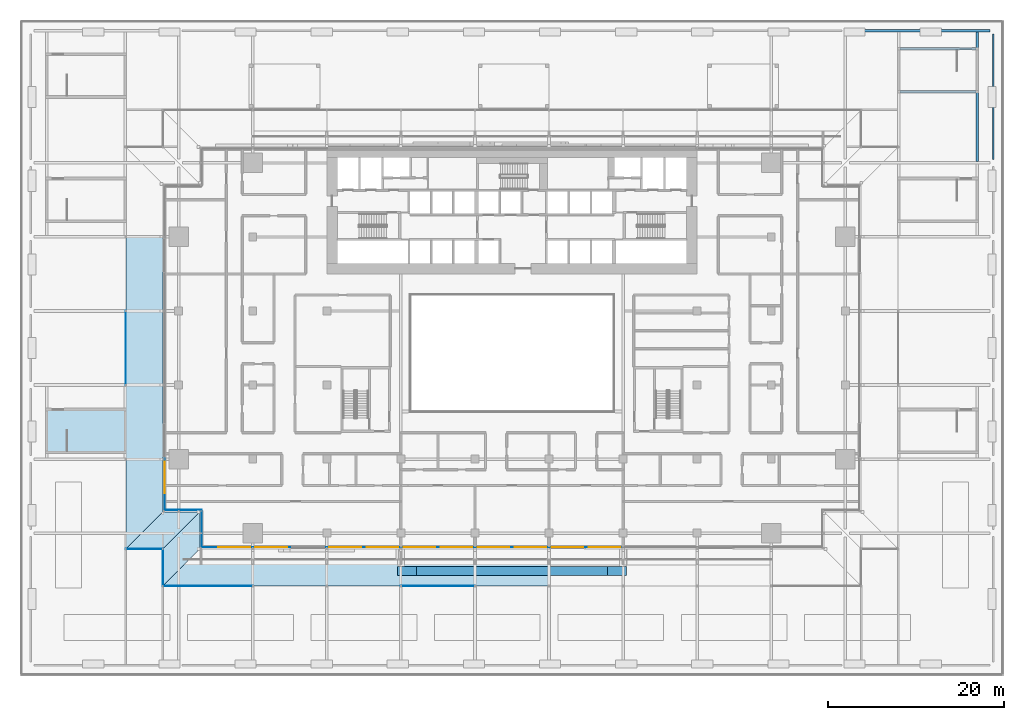
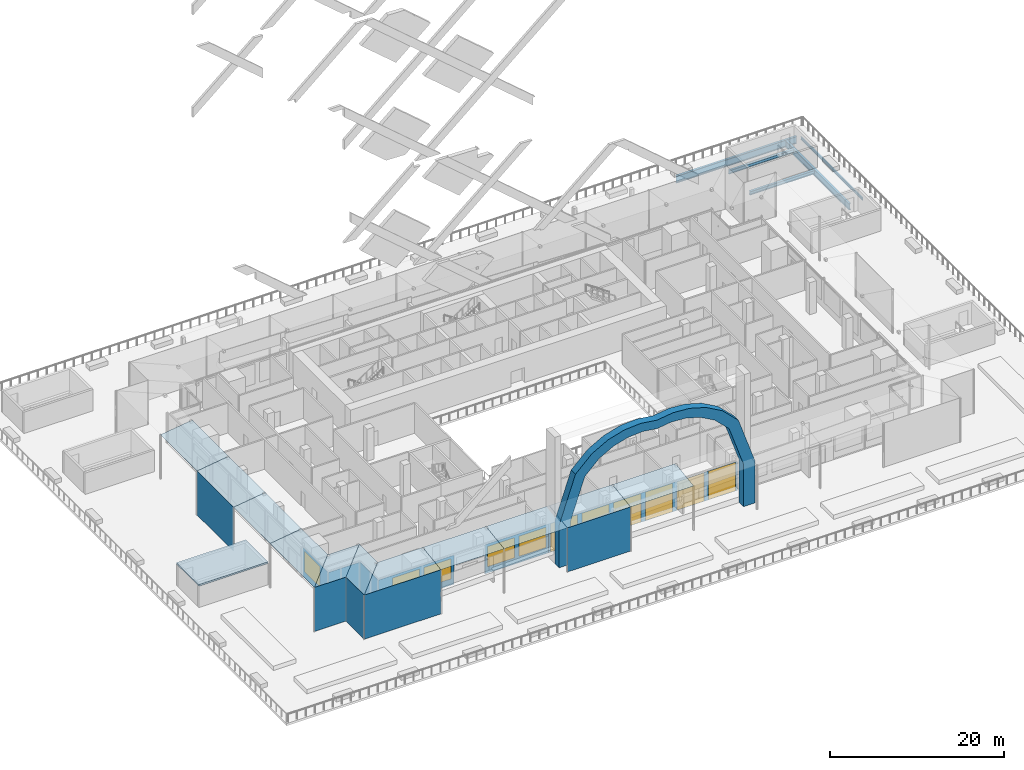
# One storey, part 18 of 60: 23 plates, 11 windows, 5 beams, 1 slab, 11 openings, 4 elements without a shape of their own.
"""IFC4 building model written with IfcOpenShell, lengths in metres."""

from ifc_helpers import new_model, si_unit, direction, frame, frame_2d, origin, origin_2d, place, context, subcontext, project, spatial, polyline, rectangle, i_section, outline, extrude, material, layer, layer_set, material_profile, profile_set, type_object, element, fill, aggregate, save


model = new_model("IFC4")

# Units and contexts
model_context = context("Model", 3, precision=1e-05, world=origin(), true_north=direction((0.0, 1.0)))
body_context = subcontext(model_context, "Body", "Model", "MODEL_VIEW")
ifc_project = project(units=[si_unit("LENGTHUNIT", "METRE"), si_unit("AREAUNIT", "SQUARE_METRE"), si_unit("VOLUMEUNIT", "CUBIC_METRE"), si_unit("PLANEANGLEUNIT", "RADIAN"), si_unit("MASSUNIT", "GRAM", prefix="KILO")], contexts=[model_context])

# Site, building, storey
site_placement = place(None, origin())
site = spatial("IfcSite", under=ifc_project, at=site_placement, CompositionType="ELEMENT")
building_placement = place(site_placement, origin())
building = spatial("IfcBuilding", under=site, at=building_placement, Name="Saffron Gate Tower", CompositionType="ELEMENT")
storey_placement = place(building_placement, frame((0.0, 0.0, 19.199951171875)))
storey = spatial("IfcBuildingStorey", under=building, at=storey_placement, Name="L03", CompositionType="ELEMENT", Elevation=19.199951171875)

# Beams
ifc_material_1 = material(Name="Structural steel S355", Category="steel")
ifc_material_profile_1 = material_profile(ifc_material_1, i_section(OverallWidth=0.169921875, OverallDepth=0.360107421875, WebThickness=0.008056640625, FlangeThickness=0.0126953125, FilletRadius=0.01806640625, at=origin_2d()))
ifc_profile_set_1 = profile_set([ifc_material_profile_1], Name="Structural steel S355")
beam_type_1 = type_object("IfcBeamType", Name="B1 IPE 360", PredefinedType="BEAM", material=ifc_profile_set_1)
beam_1_placement = place(storey_placement, frame((142.199951171875, 74.199951171875, -0.47998046875), z_axis=(0.0, 1.0, 0.0), x_axis=(-1.0, 0.0, 0.0)))
element("IfcBeam", 1, at=beam_1_placement, inside=storey, type_object=beam_type_1, Name="B1 PODIUM EDGE BEAM", PredefinedType="BEAM", context=body_context, shape_type="SweptSolid", body=[
    extrude(i_section(OverallWidth=0.169921875, OverallDepth=0.360107421875, WebThickness=0.008056640625, FlangeThickness=0.0126953125, FilletRadius=0.01806640625, at=origin_2d()), origin(), (0.0, 0.0, 1.0), 14.199951171875),
])
ifc_material_profile_2 = material_profile(ifc_material_1, i_section(OverallWidth=0.300048828125, OverallDepth=0.89990234375, WebThickness=0.0185546875, FlangeThickness=0.034912109375, FilletRadius=0.030029296875, at=origin_2d()))
ifc_profile_set_2 = profile_set([ifc_material_profile_2], Name="Structural steel S355")
beam_type_2 = type_object("IfcBeamType", Name="B20 HEB 900", PredefinedType="BEAM", material=ifc_profile_set_2)
beam_2_placement = place(storey_placement, frame((140.35009765625, 73.93994140625, -0.75), z_axis=(0.0, 1.0, 0.0), x_axis=(-1.0, 0.0, 0.0)))
element("IfcBeam", 2, at=beam_2_placement, inside=storey, type_object=beam_type_2, Name="B20 STAIR ENCLOSURE HEADER BEAM", PredefinedType="BEAM", context=body_context, shape_type="SweptSolid", body=[
    extrude(i_section(OverallWidth=0.300048828125, OverallDepth=0.89990234375, WebThickness=0.0185546875, FlangeThickness=0.034912109375, FilletRadius=0.030029296875, at=origin_2d()), origin(), (0.0, 0.0, 1.0), 14.719970703125),
])
ifc_material_profile_3 = material_profile(ifc_material_1, i_section(OverallWidth=0.300048828125, OverallDepth=0.989990234375, WebThickness=0.0166015625, FlangeThickness=0.031005859375, FilletRadius=0.030029296875, at=origin_2d()))
ifc_profile_set_3 = profile_set([ifc_material_profile_3], Name="Structural steel S355")
beam_type_3 = type_object("IfcBeamType", Name="B21 HEA 1000", PredefinedType="BEAM", material=ifc_profile_set_3)
beam_3_placement = place(storey_placement, frame((125.800048828125, 88.800048828125, -0.794921875), z_axis=(1.0, 0.0, 0.0), x_axis=(0.0, 1.0, 0.0)))
element("IfcBeam", 3, at=beam_3_placement, inside=storey, type_object=beam_type_3, Name="B21 PODIUM EDGE BEAM", PredefinedType="BEAM", context=body_context, shape_type="SweptSolid", body=[
    extrude(i_section(OverallWidth=0.300048828125, OverallDepth=0.989990234375, WebThickness=0.0166015625, FlangeThickness=0.031005859375, FilletRadius=0.030029296875, at=origin_2d()), origin(), (0.0, 0.0, 1.0), 16.0),
])
ifc_material_profile_4 = material_profile(ifc_material_1, i_section(OverallWidth=0.300048828125, OverallDepth=0.5, WebThickness=0.014404296875, FlangeThickness=0.028076171875, FilletRadius=0.027099609375, at=origin_2d()))
ifc_profile_set_4 = profile_set([ifc_material_profile_4], Name="Structural steel S355")
beam_type_4 = type_object("IfcBeamType", Name="B9 HEB 500", PredefinedType="BEAM", material=ifc_profile_set_4)
for number, where, z_axis, x_axis, name in (
    (4, (131.590087890625, 81.875, -0.550048828125), (1.0, 0.0, 0.0), (0.0, 1.0, 0.0), "B9 STAIR ENCLOSURE TRIMMER BEAM"),
    (5, (131.590087890625, 86.72509765625, -0.550048828125), (1.0, 0.0, 0.0), (0.0, 1.0, 0.0), "B9 STAIR ENCLOSURE TRIMMER BEAM"),
):
    element("IfcBeam", number, at=place(storey_placement, frame(where, z_axis=z_axis, x_axis=x_axis)), inside=storey, type_object=beam_type_4, Name=name, PredefinedType="BEAM", context=body_context, shape_type="SweptSolid", body=[
        extrude(i_section(OverallWidth=0.300048828125, OverallDepth=0.5, WebThickness=0.014404296875, FlangeThickness=0.028076171875, FilletRadius=0.027099609375, at=origin_2d()), origin(), (0.0, 0.0, 1.0), 8.619873046875),
    ])

# Slab
ifc_material_2 = material(Name="Concrete C70", Category="concrete")
ifc_layer_1 = layer(ifc_material_2, 0.199951171875)
ifc_layer_set_1 = layer_set([ifc_layer_1], Name="CS2 Stair head-house roof slab 200")
slab_type = type_object("IfcSlabType", Name="CS2 Stair head-house roof slab 200", PredefinedType="ROOF", material=ifc_layer_set_1)
slab_placement = place(storey_placement, frame((0.0, 0.0, 3.0)))
element("IfcSlab", 6, at=slab_placement, inside=storey, type_object=slab_type, Name="Stair head-house roof slab H", PredefinedType="ROOF", context=body_context, shape_type="SweptSolid", body=[
    extrude(outline(polyline([(34.699951171875, 40.824951171875), (43.89990234375, 40.824951171875), (43.89990234375, 45.97509765625), (34.699951171875, 45.97509765625), (34.699951171875, 40.824951171875)])), origin(), (0.0, 0.0, 1.0), 0.199951171875),
])

# Curtain wall, plates, openings, windows
ifc_material_3 = material(Name="Aluminium, bronze anodised", Category="aluminium")
curtain_wall_type = type_object("IfcCurtainWallType", Name="CWS6 curtain wall tall storeys", PredefinedType="NOTDEFINED", material=ifc_material_3)
curtain_wall_1_placement = place(storey_placement, origin())
curtain_wall_1 = element("IfcCurtainWall", 7, at=curtain_wall_1_placement, inside=storey, type_object=curtain_wall_type, Name="CWS6 run 1", PredefinedType="NOTDEFINED")
ifc_material_4 = material(Name="Clear low-iron laminated glass", Category="glass")
ifc_layer_2 = layer(ifc_material_4, 0.028076171875)
ifc_layer_set_2 = layer_set([ifc_layer_2], Name="CWS6 clear glass")
plate_type_1 = type_object("IfcPlateType", Name="CWS6 clear glass", PredefinedType="CURTAIN_PANEL", material=ifc_layer_set_2)
plate_1_placement = place(storey_placement, frame((75.0400390625, 30.214111328125, 0.0), z_axis=(0.0, 0.0, 1.0), x_axis=(1.0, 0.0, 0.0)))
plate_1 = element("IfcPlate", 8, at=plate_1_placement, type_object=plate_type_1, Name="CWS6 clear glass panel", PredefinedType="CURTAIN_PANEL", context=body_context, shape_type="SweptSolid", body=[
    extrude(rectangle(XDim=25.119873046875, YDim=0.028076171875, at=frame_2d((12.56005859375, 0.0))), origin(), (0.0, 0.0, 1.0), 4.080078125),
])
opening_1_placement = place(plate_1_placement, frame((0.260009765625, 0.0, 0.050048828125)))
opening_1 = element("IfcOpeningElement", 9, at=opening_1_placement, cuts=plate_1, Name="Opening WA", PredefinedType="OPENING", context=body_context, shape_type="SweptSolid", body=[
    extrude(rectangle(XDim=3.60009765625, YDim=3.97998046875, at=frame_2d((1.800048828125, 1.989990234375))), frame((0.0, 0.02392578125, 0.0), z_axis=(0.0, -1.0, 0.0), x_axis=(1.0, 0.0, 0.0)), (0.0, 0.0, 1.0), 0.048095703125),
])
opening_2_placement = place(plate_1_placement, frame((4.4599609375, 0.0, 0.050048828125)))
opening_2 = element("IfcOpeningElement", 10, at=opening_2_placement, cuts=plate_1, Name="Opening WA", PredefinedType="OPENING", context=body_context, shape_type="SweptSolid", body=[
    extrude(rectangle(XDim=3.60009765625, YDim=3.97998046875, at=frame_2d((1.800048828125, 1.989990234375))), frame((0.0, 0.02392578125, 0.0), z_axis=(0.0, -1.0, 0.0), x_axis=(1.0, 0.0, 0.0)), (0.0, 0.0, 1.0), 0.048095703125),
])
opening_3_placement = place(plate_1_placement, frame((8.659912109375, 0.0, 0.050048828125)))
opening_3 = element("IfcOpeningElement", 11, at=opening_3_placement, cuts=plate_1, Name="Opening WA", PredefinedType="OPENING", context=body_context, shape_type="SweptSolid", body=[
    extrude(rectangle(XDim=3.60009765625, YDim=3.97998046875, at=frame_2d((1.800048828125, 1.989990234375))), frame((0.0, 0.02392578125, 0.0), z_axis=(0.0, -1.0, 0.0), x_axis=(1.0, 0.0, 0.0)), (0.0, 0.0, 1.0), 0.048095703125),
])
opening_4_placement = place(plate_1_placement, frame((12.860107421875, 0.0, 0.050048828125)))
opening_4 = element("IfcOpeningElement", 12, at=opening_4_placement, cuts=plate_1, Name="Opening WA", PredefinedType="OPENING", context=body_context, shape_type="SweptSolid", body=[
    extrude(rectangle(XDim=3.60009765625, YDim=3.97998046875, at=frame_2d((1.800048828125, 1.989990234375))), frame((0.0, 0.02392578125, 0.0), z_axis=(0.0, -1.0, 0.0), x_axis=(1.0, 0.0, 0.0)), (0.0, 0.0, 1.0), 0.048095703125),
])
opening_5_placement = place(plate_1_placement, frame((17.06005859375, 0.0, 0.050048828125)))
opening_5 = element("IfcOpeningElement", 13, at=opening_5_placement, cuts=plate_1, Name="Opening WA", PredefinedType="OPENING", context=body_context, shape_type="SweptSolid", body=[
    extrude(rectangle(XDim=3.60009765625, YDim=3.97998046875, at=frame_2d((1.800048828125, 1.989990234375))), frame((0.0, 0.02392578125, 0.0), z_axis=(0.0, -1.0, 0.0), x_axis=(1.0, 0.0, 0.0)), (0.0, 0.0, 1.0), 0.048095703125),
])
opening_6_placement = place(plate_1_placement, frame((21.260009765625, 0.0, 0.050048828125)))
opening_6 = element("IfcOpeningElement", 14, at=opening_6_placement, cuts=plate_1, Name="Opening WA", PredefinedType="OPENING", context=body_context, shape_type="SweptSolid", body=[
    extrude(rectangle(XDim=3.60009765625, YDim=3.97998046875, at=frame_2d((1.800048828125, 1.989990234375))), frame((0.0, 0.02392578125, 0.0), z_axis=(0.0, -1.0, 0.0), x_axis=(1.0, 0.0, 0.0)), (0.0, 0.0, 1.0), 0.048095703125),
])
ifc_material_5 = material(Name="Clear low-iron laminated glass in bronze frame", Category="glass")
ifc_layer_3 = layer(ifc_material_5, 0.06005859375)
ifc_layer_set_3 = layer_set([ifc_layer_3], Name="WA operable atrium unit 3600x3980")
window_type_1 = type_object("IfcWindowType", Name="WA operable atrium unit 3600x3980", PartitioningType="DOUBLE_PANEL_HORIZONTAL", PredefinedType="WINDOW", material=ifc_layer_set_3)
window_1_placement = place(opening_1_placement, origin())
window_1 = element("IfcWindow", 15, at=window_1_placement, type_object=window_type_1, Name="WA operable atrium unit", OverallHeight=3.97998046875, OverallWidth=3.60009765625, PartitioningType="SINGLE_PANEL", PredefinedType="WINDOW", context=body_context, shape_type="SweptSolid", body=[
    extrude(rectangle(XDim=3.60009765625, YDim=3.97998046875, at=frame_2d((1.800048828125, 1.989990234375))), frame((0.0, 0.013671875, 0.0), z_axis=(0.0, -1.0, 0.0), x_axis=(1.0, 0.0, 0.0)), (0.0, 0.0, 1.0), 0.027587890625),
])
fill(opening_1, window_1)
window_2_placement = place(opening_2_placement, origin())
window_2 = element("IfcWindow", 16, at=window_2_placement, type_object=window_type_1, Name="WA operable atrium unit", OverallHeight=3.97998046875, OverallWidth=3.60009765625, PartitioningType="SINGLE_PANEL", PredefinedType="WINDOW", context=body_context, shape_type="SweptSolid", body=[
    extrude(rectangle(XDim=3.60009765625, YDim=3.97998046875, at=frame_2d((1.800048828125, 1.989990234375))), frame((0.0, 0.013671875, 0.0), z_axis=(0.0, -1.0, 0.0), x_axis=(1.0, 0.0, 0.0)), (0.0, 0.0, 1.0), 0.027587890625),
])
fill(opening_2, window_2)
window_3_placement = place(opening_3_placement, origin())
window_3 = element("IfcWindow", 17, at=window_3_placement, type_object=window_type_1, Name="WA operable atrium unit", OverallHeight=3.97998046875, OverallWidth=3.60009765625, PartitioningType="SINGLE_PANEL", PredefinedType="WINDOW", context=body_context, shape_type="SweptSolid", body=[
    extrude(rectangle(XDim=3.60009765625, YDim=3.97998046875, at=frame_2d((1.800048828125, 1.989990234375))), frame((0.0, 0.013671875, 0.0), z_axis=(0.0, -1.0, 0.0), x_axis=(1.0, 0.0, 0.0)), (0.0, 0.0, 1.0), 0.027587890625),
])
fill(opening_3, window_3)
window_4_placement = place(opening_4_placement, origin())
window_4 = element("IfcWindow", 18, at=window_4_placement, type_object=window_type_1, Name="WA operable atrium unit", OverallHeight=3.97998046875, OverallWidth=3.60009765625, PartitioningType="SINGLE_PANEL", PredefinedType="WINDOW", context=body_context, shape_type="SweptSolid", body=[
    extrude(rectangle(XDim=3.60009765625, YDim=3.97998046875, at=frame_2d((1.800048828125, 1.989990234375))), frame((0.0, 0.013671875, 0.0), z_axis=(0.0, -1.0, 0.0), x_axis=(1.0, 0.0, 0.0)), (0.0, 0.0, 1.0), 0.027587890625),
])
fill(opening_4, window_4)
window_5_placement = place(opening_5_placement, origin())
window_5 = element("IfcWindow", 19, at=window_5_placement, type_object=window_type_1, Name="WA operable atrium unit", OverallHeight=3.97998046875, OverallWidth=3.60009765625, PartitioningType="SINGLE_PANEL", PredefinedType="WINDOW", context=body_context, shape_type="SweptSolid", body=[
    extrude(rectangle(XDim=3.60009765625, YDim=3.97998046875, at=frame_2d((1.800048828125, 1.989990234375))), frame((0.0, 0.013671875, 0.0), z_axis=(0.0, -1.0, 0.0), x_axis=(1.0, 0.0, 0.0)), (0.0, 0.0, 1.0), 0.027587890625),
])
fill(opening_5, window_5)
window_6_placement = place(opening_6_placement, origin())
window_6 = element("IfcWindow", 20, at=window_6_placement, type_object=window_type_1, Name="WA operable atrium unit", OverallHeight=3.97998046875, OverallWidth=3.60009765625, PartitioningType="SINGLE_PANEL", PredefinedType="WINDOW", context=body_context, shape_type="SweptSolid", body=[
    extrude(rectangle(XDim=3.60009765625, YDim=3.97998046875, at=frame_2d((1.800048828125, 1.989990234375))), frame((0.0, 0.013671875, 0.0), z_axis=(0.0, -1.0, 0.0), x_axis=(1.0, 0.0, 0.0)), (0.0, 0.0, 1.0), 0.027587890625),
])
fill(opening_6, window_6)
ifc_material_6 = material(Name="Fritted bronze-tinted laminated glass", Category="glass")
ifc_layer_4 = layer(ifc_material_6, 0.028076171875)
ifc_layer_set_4 = layer_set([ifc_layer_4], Name="CWS6 fixed glass")
plate_type_2 = type_object("IfcPlateType", Name="CWS6 fixed glass", PredefinedType="CURTAIN_PANEL", material=ifc_layer_set_4)
plate_2_placement = place(storey_placement, frame((52.427978515625, 30.214111328125, 0.0), z_axis=(0.0, 0.0, 1.0), x_axis=(1.0, 0.0, 0.0)))
plate_2 = element("IfcPlate", 21, at=plate_2_placement, type_object=plate_type_2, Name="CWS6 glass panel", PredefinedType="CURTAIN_PANEL", context=body_context, shape_type="SweptSolid", body=[
    extrude(rectangle(XDim=10.011962890625, YDim=0.028076171875, at=frame_2d((5.005859375, 0.0))), origin(), (0.0, 0.0, 1.0), 4.080078125),
])
opening_7_placement = place(plate_2_placement, frame((1.8720703125, 0.0, 0.89990234375)))
opening_7 = element("IfcOpeningElement", 22, at=opening_7_placement, cuts=plate_2, Name="Opening W3", PredefinedType="OPENING", context=body_context, shape_type="SweptSolid", body=[
    extrude(rectangle(XDim=3.60009765625, YDim=2.830078125, at=frame_2d((1.800048828125, 1.4150390625))), frame((0.0, 0.02392578125, 0.0), z_axis=(0.0, -1.0, 0.0), x_axis=(1.0, 0.0, 0.0)), (0.0, 0.0, 1.0), 0.048095703125),
])
opening_8_placement = place(plate_2_placement, frame((6.072021484375, 0.0, 0.89990234375)))
opening_8 = element("IfcOpeningElement", 23, at=opening_8_placement, cuts=plate_2, Name="Opening W3", PredefinedType="OPENING", context=body_context, shape_type="SweptSolid", body=[
    extrude(rectangle(XDim=3.60009765625, YDim=2.830078125, at=frame_2d((1.800048828125, 1.4150390625))), frame((0.0, 0.02392578125, 0.0), z_axis=(0.0, -1.0, 0.0), x_axis=(1.0, 0.0, 0.0)), (0.0, 0.0, 1.0), 0.048095703125),
])
ifc_material_7 = material(Name="Fritted bronze-tinted laminated glass in bronze frame", Category="glass")
ifc_layer_5 = layer(ifc_material_7, 0.06005859375)
ifc_layer_set_5 = layer_set([ifc_layer_5], Name="W3 operable panel 3600x2830")
window_type_2 = type_object("IfcWindowType", Name="W3 operable panel 3600x2830", PartitioningType="DOUBLE_PANEL_HORIZONTAL", PredefinedType="WINDOW", material=ifc_layer_set_5)
window_7_placement = place(opening_7_placement, origin())
window_7 = element("IfcWindow", 24, at=window_7_placement, type_object=window_type_2, Name="W3 operable panel", OverallHeight=2.830078125, OverallWidth=3.60009765625, PartitioningType="SINGLE_PANEL", PredefinedType="WINDOW", context=body_context, shape_type="SweptSolid", body=[
    extrude(rectangle(XDim=3.60009765625, YDim=2.830078125, at=frame_2d((1.800048828125, 1.4150390625))), frame((0.0, 0.013671875, 0.0), z_axis=(0.0, -1.0, 0.0), x_axis=(1.0, 0.0, 0.0)), (0.0, 0.0, 1.0), 0.027587890625),
])
fill(opening_7, window_7)
window_8_placement = place(opening_8_placement, origin())
window_8 = element("IfcWindow", 25, at=window_8_placement, type_object=window_type_2, Name="W3 operable panel", OverallHeight=2.830078125, OverallWidth=3.60009765625, PartitioningType="SINGLE_PANEL", PredefinedType="WINDOW", context=body_context, shape_type="SweptSolid", body=[
    extrude(rectangle(XDim=3.60009765625, YDim=2.830078125, at=frame_2d((1.800048828125, 1.4150390625))), frame((0.0, 0.013671875, 0.0), z_axis=(0.0, -1.0, 0.0), x_axis=(1.0, 0.0, 0.0)), (0.0, 0.0, 1.0), 0.027587890625),
])
fill(opening_8, window_8)
plate_3_placement = place(storey_placement, frame((66.56005859375, 30.214111328125, 0.0), z_axis=(0.0, 0.0, 1.0), x_axis=(1.0, 0.0, 0.0)))
plate_3 = element("IfcPlate", 26, at=plate_3_placement, type_object=plate_type_2, Name="CWS6 glass panel", PredefinedType="CURTAIN_PANEL", context=body_context, shape_type="SweptSolid", body=[
    extrude(rectangle(XDim=8.47998046875, YDim=0.028076171875, at=frame_2d((4.239990234375, 0.0))), origin(), (0.0, 0.0, 1.0), 4.080078125),
])
opening_9_placement = place(plate_3_placement, frame((0.340087890625, 0.0, 0.89990234375)))
opening_9 = element("IfcOpeningElement", 27, at=opening_9_placement, cuts=plate_3, Name="Opening W3", PredefinedType="OPENING", context=body_context, shape_type="SweptSolid", body=[
    extrude(rectangle(XDim=3.60009765625, YDim=2.830078125, at=frame_2d((1.800048828125, 1.4150390625))), frame((0.0, 0.02392578125, 0.0), z_axis=(0.0, -1.0, 0.0), x_axis=(1.0, 0.0, 0.0)), (0.0, 0.0, 1.0), 0.048095703125),
])
opening_10_placement = place(plate_3_placement, frame((4.5400390625, 0.0, 0.89990234375)))
opening_10 = element("IfcOpeningElement", 28, at=opening_10_placement, cuts=plate_3, Name="Opening W3", PredefinedType="OPENING", context=body_context, shape_type="SweptSolid", body=[
    extrude(rectangle(XDim=3.60009765625, YDim=2.830078125, at=frame_2d((1.800048828125, 1.4150390625))), frame((0.0, 0.02392578125, 0.0), z_axis=(0.0, -1.0, 0.0), x_axis=(1.0, 0.0, 0.0)), (0.0, 0.0, 1.0), 0.048095703125),
])
window_9_placement = place(opening_9_placement, origin())
window_9 = element("IfcWindow", 29, at=window_9_placement, type_object=window_type_2, Name="W3 operable panel", OverallHeight=2.830078125, OverallWidth=3.60009765625, PartitioningType="SINGLE_PANEL", PredefinedType="WINDOW", context=body_context, shape_type="SweptSolid", body=[
    extrude(rectangle(XDim=3.60009765625, YDim=2.830078125, at=frame_2d((1.800048828125, 1.4150390625))), frame((0.0, 0.013671875, 0.0), z_axis=(0.0, -1.0, 0.0), x_axis=(1.0, 0.0, 0.0)), (0.0, 0.0, 1.0), 0.027587890625),
])
fill(opening_9, window_9)
window_10_placement = place(opening_10_placement, origin())
window_10 = element("IfcWindow", 30, at=window_10_placement, type_object=window_type_2, Name="W3 operable panel", OverallHeight=2.830078125, OverallWidth=3.60009765625, PartitioningType="SINGLE_PANEL", PredefinedType="WINDOW", context=body_context, shape_type="SweptSolid", body=[
    extrude(rectangle(XDim=3.60009765625, YDim=2.830078125, at=frame_2d((1.800048828125, 1.4150390625))), frame((0.0, 0.013671875, 0.0), z_axis=(0.0, -1.0, 0.0), x_axis=(1.0, 0.0, 0.0)), (0.0, 0.0, 1.0), 0.027587890625),
])
fill(opening_10, window_10)
aggregate(curtain_wall_1, [plate_2, plate_3, plate_1, window_7, window_8, window_9, window_10, window_1, window_2, window_3, window_4, window_5, window_6])

# Curtain wall, plate, opening, window
curtain_wall_2_placement = place(storey_placement, origin())
curtain_wall_2 = element("IfcCurtainWall", 31, at=curtain_wall_2_placement, inside=storey, type_object=curtain_wall_type, Name="CWS6 run 10", PredefinedType="NOTDEFINED")
plate_4_placement = place(storey_placement, frame((48.214111328125, 40.239990234375, 0.0), z_axis=(0.0, 0.0, 1.0), x_axis=(0.0, -1.0, 0.0)))
plate_4 = element("IfcPlate", 32, at=plate_4_placement, type_object=plate_type_2, Name="CWS6 glass panel", PredefinedType="CURTAIN_PANEL", context=body_context, shape_type="SweptSolid", body=[
    extrude(rectangle(XDim=5.81201171875, YDim=0.028076171875, at=frame_2d((2.906005859375, 0.0))), origin(), (0.0, 0.0, 1.0), 4.080078125),
])
opening_11_placement = place(plate_4_placement, frame((0.340087890625, 0.0, 0.89990234375)))
opening_11 = element("IfcOpeningElement", 33, at=opening_11_placement, cuts=plate_4, Name="Opening W3", PredefinedType="OPENING", context=body_context, shape_type="SweptSolid", body=[
    extrude(rectangle(XDim=3.60009765625, YDim=2.830078125, at=frame_2d((1.800048828125, 1.4150390625))), frame((0.0, 0.02392578125, 0.0), z_axis=(0.0, -1.0, 0.0), x_axis=(1.0, 0.0, 0.0)), (0.0, 0.0, 1.0), 0.048095703125),
])
window_11_placement = place(opening_11_placement, origin())
window_11 = element("IfcWindow", 34, at=window_11_placement, type_object=window_type_2, Name="W3 operable panel", OverallHeight=2.830078125, OverallWidth=3.60009765625, PartitioningType="SINGLE_PANEL", PredefinedType="WINDOW", context=body_context, shape_type="SweptSolid", body=[
    extrude(rectangle(XDim=3.60009765625, YDim=2.830078125, at=frame_2d((1.800048828125, 1.4150390625))), frame((0.0, 0.013671875, 0.0), z_axis=(0.0, -1.0, 0.0), x_axis=(1.0, 0.0, 0.0)), (0.0, 0.0, 1.0), 0.027587890625),
])
fill(opening_11, window_11)
aggregate(curtain_wall_2, [plate_4, window_11])

# Curtain wall, plate
curtain_wall_3_placement = place(storey_placement, origin())
curtain_wall_3 = element("IfcCurtainWall", 35, at=curtain_wall_3_placement, inside=storey, type_object=curtain_wall_type, Name="CWS6 run 11", PredefinedType="NOTDEFINED")
plate_5_placement = place(storey_placement, frame((48.22802734375, 34.4140625, 0.0), z_axis=(0.0, 0.0, 1.0), x_axis=(1.0, 0.0, 0.0)))
plate_5 = element("IfcPlate", 36, at=plate_5_placement, type_object=plate_type_2, Name="CWS6 glass panel", PredefinedType="CURTAIN_PANEL", context=body_context, shape_type="SweptSolid", body=[
    extrude(rectangle(XDim=4.171875, YDim=0.028076171875, at=frame_2d((2.0859375, 0.0))), origin(), (0.0, 0.0, 1.0), 4.080078125),
])
aggregate(curtain_wall_3, [plate_5])

curtain_wall_4_placement = place(storey_placement, origin())
curtain_wall_4 = element("IfcCurtainWall", 37, at=curtain_wall_4_placement, inside=storey, type_object=curtain_wall_type, Name="CWS6 run 12", PredefinedType="NOTDEFINED")
plate_6_placement = place(storey_placement, frame((52.4140625, 34.39990234375, 0.0), z_axis=(0.0, 0.0, 1.0), x_axis=(0.0, -1.0, 0.0)))
plate_6 = element("IfcPlate", 38, at=plate_6_placement, type_object=plate_type_2, Name="CWS6 glass panel", PredefinedType="CURTAIN_PANEL", context=body_context, shape_type="SweptSolid", body=[
    extrude(rectangle(XDim=4.171875, YDim=0.028076171875, at=frame_2d((2.0859375, 0.0))), origin(), (0.0, 0.0, 1.0), 4.080078125),
])
aggregate(curtain_wall_4, [plate_6])

# Plates
ifc_material_8 = material(Name="Glazed ceramic tile, turquoise")
ifc_layer_6 = layer(ifc_material_8, 1.0)
ifc_layer_set_6 = layer_set([ifc_layer_6], Name="GT7 slot arch head")
plate_type_3 = type_object("IfcPlateType", Name="GT7 slot arch head", PredefinedType="SHEET", material=ifc_layer_set_6)
plate_7_placement = place(storey_placement, frame((76.10009765625, 27.0, 0.0), z_axis=(0.0, -1.0, 0.0), x_axis=(0.0, 0.0, 1.0)))
element("IfcPlate", 39, at=plate_7_placement, inside=storey, type_object=plate_type_3, Name="ATRIUM SLOT pointed arch head", PredefinedType="SHEET", context=body_context, shape_type="SweptSolid", body=[
    extrude(outline(polyline([(0.0, 0.0), (6.0, 0.0), (11.645263671875, -1.91650390625), (13.50927734375, -3.833251953125), (14.576904296875, -5.75), (15.1318359375, -7.66650390625), (15.2666015625, -9.583251953125), (15.0, -11.5), (15.2666015625, -13.41650390625), (15.1318359375, -15.333251953125), (14.576904296875, -17.25), (13.50927734375, -19.16650390625), (11.645263671875, -21.083251953125), (6.0, -23.0), (0.0, -23.0), (0.0, -24.5), (6.0, -24.5), (12.388427734375, -22.333251953125), (14.499267578125, -20.16650390625), (15.709228515625, -18.0), (16.340087890625, -15.833251953125), (16.496337890625, -13.66650390625), (16.199951171875, -11.5), (16.496337890625, -9.333251953125), (16.340087890625, -7.16650390625), (15.709228515625, -5.0), (14.499267578125, -2.833251953125), (12.388427734375, -0.66650390625), (6.0, 1.5), (0.0, 1.5), (0.0, 0.0)])), origin(), (0.0, 0.0, -1.0), 1.0),
])
ifc_material_9 = material(Name="Laminated glass with a ceramic frit", Category="glass")
ifc_layer_7 = layer(ifc_material_9, 0.030029296875)
ifc_layer_set_7 = layer_set([ifc_layer_7], Name="HL2 hall roof glass")
plate_type_4 = type_object("IfcPlateType", Name="HL2 hall roof glass", PredefinedType="SHEET", material=ifc_layer_set_7)
plate_8_placement = place(storey_placement, frame((52.199951171875, 30.0, 6.800048828125), z_axis=(0.0, -0.141445525081, 0.989946040668), x_axis=(1.0, 0.0, 0.0)))
element("IfcPlate", 40, at=plate_8_placement, inside=storey, type_object=plate_type_4, Name="HALL ROOF glass", PredefinedType="SHEET", context=body_context, shape_type="SweptSolid", body=[
    extrude(outline(polyline([(0.0, 0.0), (6.0, 0.0), (6.0, -4.2426061616854005), (-4.199951171875, -4.2426061616854005), (0.0, 0.0)])), origin(), (0.0, 0.0, -1.0), 0.030029296875),
])
plate_9_placement = place(storey_placement, frame((58.199951171875, 30.0, 6.800048828125), z_axis=(0.0, -0.141445525081, 0.989946040668), x_axis=(1.0, 0.0, 0.0)))
element("IfcPlate", 41, at=plate_9_placement, inside=storey, type_object=plate_type_4, Name="HALL ROOF glass", PredefinedType="SHEET", context=body_context, shape_type="SweptSolid", body=[
    extrude(outline(polyline([(0.0, 0.0), (8.400146484375, 0.0), (8.400146484375, -4.2426061616854005), (0.0, -4.2426061616854005), (0.0, 0.0)])), origin(), (0.0, 0.0, -1.0), 0.030029296875),
])
for number, where, z_axis, x_axis, name in (
    (42, (66.60009765625, 30.0, 6.800048828125), (0.0, -0.141445525081, 0.989946040668), (1.0, 0.0, 0.0), "HALL ROOF glass"),
    (43, (75.0, 30.0, 6.800048828125), (0.0, -0.141445525081, 0.989946040668), (1.0, 0.0, 0.0), "HALL ROOF glass"),
):
    element("IfcPlate", number, at=place(storey_placement, frame(where, z_axis=z_axis, x_axis=x_axis)), inside=storey, type_object=plate_type_4, Name=name, PredefinedType="SHEET", context=body_context, shape_type="SweptSolid", body=[
        extrude(outline(polyline([(0.0, 0.0), (8.39990234375, 0.0), (8.39990234375, -4.2426061616854005), (0.0, -4.2426061616854005), (0.0, 0.0)])), origin(), (0.0, 0.0, -1.0), 0.030029296875),
    ])
plate_10_placement = place(storey_placement, frame((83.39990234375, 30.0, 6.800048828125), z_axis=(0.0, -0.141445525081, 0.989946040668), x_axis=(1.0, 0.0, 0.0)))
element("IfcPlate", 44, at=plate_10_placement, inside=storey, type_object=plate_type_4, Name="HALL ROOF glass", PredefinedType="SHEET", context=body_context, shape_type="SweptSolid", body=[
    extrude(outline(polyline([(0.0, 0.0), (8.400146484375, 0.0), (8.400146484375, -4.2426061616854005), (0.0, -4.2426061616854005), (0.0, 0.0)])), origin(), (0.0, 0.0, -1.0), 0.030029296875),
])
for number, where, z_axis, x_axis, name in (
    (45, (48.0, 65.39990234375, 6.800048828125), (-0.141445525081, 0.0, 0.989946040668), (0.0, -1.0, 0.0), "HALL ROOF glass"),
    (46, (48.0, 57.0, 6.800048828125), (-0.141445525081, 0.0, 0.989946040668), (0.0, -1.0, 0.0), "HALL ROOF glass"),
):
    element("IfcPlate", number, at=place(storey_placement, frame(where, z_axis=z_axis, x_axis=x_axis)), inside=storey, type_object=plate_type_4, Name=name, PredefinedType="SHEET", context=body_context, shape_type="SweptSolid", body=[
        extrude(outline(polyline([(0.0, 0.0), (8.39990234375, 0.0), (8.39990234375, -4.2426061616854005), (0.0, -4.2426061616854005), (0.0, 0.0)])), origin(), (0.0, 0.0, -1.0), 0.030029296875),
    ])
plate_11_placement = place(storey_placement, frame((48.0, 48.60009765625, 6.800048828125), z_axis=(-0.141445525081, 0.0, 0.989946040668), x_axis=(0.0, -1.0, 0.0)))
element("IfcPlate", 47, at=plate_11_placement, inside=storey, type_object=plate_type_4, Name="HALL ROOF glass", PredefinedType="SHEET", context=body_context, shape_type="SweptSolid", body=[
    extrude(outline(polyline([(0.0, 0.0), (8.400146484375, 0.0), (8.400146484375, -4.2426061616854005), (0.0, -4.2426061616854005), (0.0, 0.0)])), origin(), (0.0, 0.0, -1.0), 0.030029296875),
])
plate_12_placement = place(storey_placement, frame((48.0, 40.199951171875, 6.800048828125), z_axis=(-0.141445525081, 0.0, 0.989946040668), x_axis=(0.0, -1.0, 0.0)))
element("IfcPlate", 48, at=plate_12_placement, inside=storey, type_object=plate_type_4, Name="HALL ROOF glass", PredefinedType="SHEET", context=body_context, shape_type="SweptSolid", body=[
    extrude(outline(polyline([(0.0, 0.0), (6.0, 0.0), (10.199951171875, -4.2426061616854005), (0.0, -4.2426061616854005), (0.0, 0.0)])), origin(), (0.0, 0.0, -1.0), 0.030029296875),
])
plate_13_placement = place(storey_placement, frame((48.0, 34.199951171875, 6.800048828125), z_axis=(0.0, -0.141445525081, 0.989946040668), x_axis=(1.0, 0.0, 0.0)))
element("IfcPlate", 49, at=plate_13_placement, inside=storey, type_object=plate_type_4, Name="HALL ROOF glass", PredefinedType="SHEET", context=body_context, shape_type="SweptSolid", body=[
    extrude(outline(polyline([(0.0, 0.0), (4.199951171875, 0.0), (0.0, -4.2426061616854005), (-4.199951171875, -4.2426061616854005), (0.0, 0.0)])), origin(), (0.0, 0.0, -1.0), 0.030029296875),
])
plate_14_placement = place(storey_placement, frame((52.199951171875, 34.199951171875, 6.800048828125), z_axis=(-0.141445525081, 0.0, 0.989946040668), x_axis=(0.0, -1.0, 0.0)))
element("IfcPlate", 50, at=plate_14_placement, inside=storey, type_object=plate_type_4, Name="HALL ROOF glass", PredefinedType="SHEET", context=body_context, shape_type="SweptSolid", body=[
    extrude(outline(polyline([(0.0, 0.0), (4.199951171875, 0.0), (8.39990234375, -4.2426061616854005), (4.199951171875, -4.2426061616854005), (0.0, 0.0)])), origin(), (0.0, 0.0, -1.0), 0.030029296875),
])
ifc_material_10 = material(Name="Toughened clear glass", Category="glass")
ifc_layer_8 = layer(ifc_material_10, 0.02001953125)
ifc_layer_set_8 = layer_set([ifc_layer_8], Name="HL3 hall screen glass")
plate_type_5 = type_object("IfcPlateType", Name="HL3 hall screen glass", PredefinedType="SHEET", material=ifc_layer_set_8)
plate_15_placement = place(storey_placement, frame((48.0, 25.800048828125, 0.0), z_axis=(0.0, -1.0, 0.0), x_axis=(1.0, 0.0, 0.0)))
element("IfcPlate", 51, at=plate_15_placement, inside=storey, type_object=plate_type_5, Name="HALL SCREEN glass", PredefinedType="SHEET", context=body_context, shape_type="SweptSolid", body=[
    extrude(outline(polyline([(0.0, 0.0), (10.199951171875, 0.0), (10.199951171875, 6.199951171875), (0.0, 6.199951171875), (0.0, 0.0)])), origin(), (0.0, 0.0, -1.0), 0.02001953125),
])
for number, where, z_axis, x_axis, name in (
    (52, (75.0, 25.800048828125, 0.0), (0.0, -1.0, 0.0), (1.0, 0.0, 0.0), "HALL SCREEN glass"),
    (53, (43.800048828125, 57.0, 0.0), (-1.0, 0.0, 0.0), (0.0, -1.0, 0.0), "HALL SCREEN glass"),
):
    element("IfcPlate", number, at=place(storey_placement, frame(where, z_axis=z_axis, x_axis=x_axis)), inside=storey, type_object=plate_type_5, Name=name, PredefinedType="SHEET", context=body_context, shape_type="SweptSolid", body=[
        extrude(outline(polyline([(0.0, 0.0), (8.39990234375, 0.0), (8.39990234375, 6.199951171875), (0.0, 6.199951171875), (0.0, 0.0)])), origin(), (0.0, 0.0, -1.0), 0.02001953125),
    ])
for number, where, z_axis, x_axis, name in (
    (54, (43.800048828125, 30.0, 0.0), (0.0, -1.0, 0.0), (1.0, 0.0, 0.0), "HALL SCREEN glass"),
    (55, (48.0, 30.0, 0.0), (-1.0, 0.0, 0.0), (0.0, -1.0, 0.0), "HALL SCREEN glass"),
):
    element("IfcPlate", number, at=place(storey_placement, frame(where, z_axis=z_axis, x_axis=x_axis)), inside=storey, type_object=plate_type_5, Name=name, PredefinedType="SHEET", context=body_context, shape_type="SweptSolid", body=[
        extrude(outline(polyline([(0.0, 0.0), (4.199951171875, 0.0), (4.199951171875, 6.199951171875), (0.0, 6.199951171875), (0.0, 0.0)])), origin(), (0.0, 0.0, -1.0), 0.02001953125),
    ])

save(model, "model.ifc")
